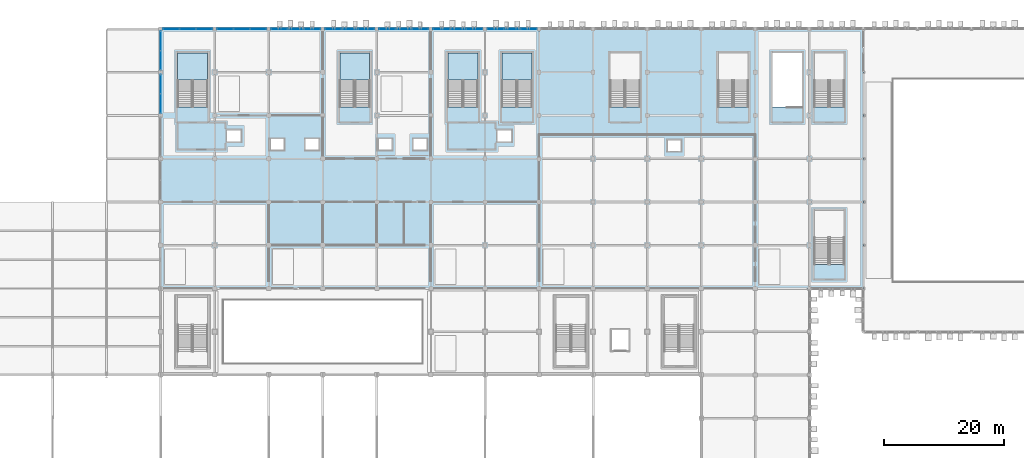
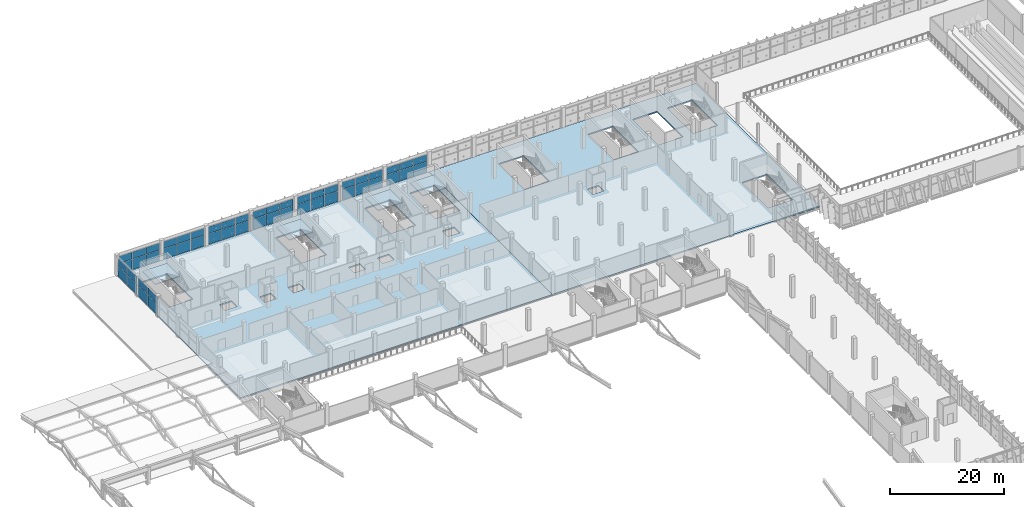
# One storey, part 91 of 151: 50 plates, 6 slabs, 13 elements without a shape of their own.
"""IFC4 building model written with IfcOpenShell, lengths in metres."""

from ifc_helpers import new_model, si_unit, direction, frame, origin, origin_2d, place, context, subcontext, project, spatial, polyline, rectangle, outline, extrude, material, layer, layer_set, type_object, element, aggregate, save


model = new_model("IFC4")

# Units and contexts
model_context = context("Model", 3, precision=1e-05, world=origin(), true_north=direction((0.0, 1.0)))
body_context = subcontext(model_context, "Body", "Model", "MODEL_VIEW")
ifc_project = project(units=[si_unit("LENGTHUNIT", "METRE"), si_unit("AREAUNIT", "SQUARE_METRE"), si_unit("VOLUMEUNIT", "CUBIC_METRE"), si_unit("PLANEANGLEUNIT", "RADIAN"), si_unit("MASSUNIT", "GRAM", prefix="KILO")], contexts=[model_context])

# Site, building, storey
site_placement = place(None, origin())
site = spatial("IfcSite", under=ifc_project, at=site_placement, CompositionType="ELEMENT")
building_placement = place(site_placement, origin())
building = spatial("IfcBuilding", under=site, at=building_placement, Name="Celestram Park Convention Centre", CompositionType="ELEMENT")
storey_placement = place(building_placement, frame((0.0, 0.0, 10.800048828125)))
storey = spatial("IfcBuildingStorey", under=building, at=storey_placement, Name="L02", CompositionType="ELEMENT", Elevation=10.800048828125)

# Curtain wall, plates
ifc_material_1 = material(Name="Anodised Aluminium Alloy 6063-T6", Category="aluminium")
ifc_layer_1 = layer(ifc_material_1, 0.179931640625)
ifc_layer_set_1 = layer_set([ifc_layer_1], Name="Anodised Aluminium Alloy 6063-T6")
curtain_wall_type_1 = type_object("IfcCurtainWallType", Name="ARC-CW-650X400", PredefinedType="NOTDEFINED", material=ifc_layer_set_1)
curtain_wall_1_placement = place(storey_placement, origin())
curtain_wall_1 = element("IfcCurtainWall", 1, at=curtain_wall_1_placement, inside=storey, type_object=curtain_wall_type_1, Name="Unitised curtain wall CU-L02-148", PredefinedType="NOTDEFINED")
ifc_material_2 = material(Name="Insulated Glazing Unit 28 mm", Category="glass")
ifc_layer_2 = layer(ifc_material_2, 0.028076171875)
ifc_layer_set_2 = layer_set([ifc_layer_2], Name="Insulated Glazing Unit 28 mm")
plate_type_1 = type_object("IfcPlateType", Name="ARC-CWP-IGU28", PredefinedType="CURTAIN_PANEL", material=ifc_layer_set_2)
plate_1_placement = place(storey_placement, frame((36.0, 153.190185546875, 0.059814453125), z_axis=(0.0, 0.0, 1.0), x_axis=(0.0, 1.0, 0.0)))
plate_1 = element("IfcPlate", 2, at=plate_1_placement, type_object=plate_type_1, Name="CW-65X40 panel 1.1", PredefinedType="CURTAIN_PANEL", context=body_context, shape_type="SweptSolid", body=[
    extrude(rectangle(XDim=3.154541015625, YDim=0.028076171875, at=origin_2d()), origin(), (0.0, 0.0, 1.0), 2.31005859375),
])
plate_2_placement = place(storey_placement, frame((36.0, 153.190185546875, 2.43017578125), z_axis=(0.0, 0.0, 1.0), x_axis=(0.0, 1.0, 0.0)))
plate_2 = element("IfcPlate", 3, at=plate_2_placement, type_object=plate_type_1, Name="CW-65X40 panel 1.2", PredefinedType="CURTAIN_PANEL", context=body_context, shape_type="SweptSolid", body=[
    extrude(rectangle(XDim=3.154541015625, YDim=0.028076171875, at=origin_2d()), origin(), (0.0, 0.0, 1.0), 1.510009765625),
])
plate_3_placement = place(storey_placement, frame((36.0, 156.40966796875, 0.059814453125), z_axis=(0.0, 0.0, 1.0), x_axis=(0.0, 1.0, 0.0)))
plate_3 = element("IfcPlate", 4, at=plate_3_placement, type_object=plate_type_1, Name="CW-65X40 panel 2.1", PredefinedType="CURTAIN_PANEL", context=body_context, shape_type="SweptSolid", body=[
    extrude(rectangle(XDim=3.154541015625, YDim=0.028076171875, at=origin_2d()), origin(), (0.0, 0.0, 1.0), 2.31005859375),
])
plate_4_placement = place(storey_placement, frame((36.0, 156.40966796875, 2.43017578125), z_axis=(0.0, 0.0, 1.0), x_axis=(0.0, 1.0, 0.0)))
plate_4 = element("IfcPlate", 5, at=plate_4_placement, type_object=plate_type_1, Name="CW-65X40 panel 2.2", PredefinedType="CURTAIN_PANEL", context=body_context, shape_type="SweptSolid", body=[
    extrude(rectangle(XDim=3.154541015625, YDim=0.028076171875, at=origin_2d()), origin(), (0.0, 0.0, 1.0), 1.510009765625),
])
aggregate(curtain_wall_1, [plate_1, plate_2, plate_3, plate_4])

ifc_layer_3 = layer(ifc_material_1, 0.179931640625)
ifc_layer_set_3 = layer_set([ifc_layer_3], Name="Anodised Aluminium Alloy 6063-T6")
curtain_wall_type_2 = type_object("IfcCurtainWallType", Name="ARC-CW-650X389", PredefinedType="NOTDEFINED", material=ifc_layer_set_3)
curtain_wall_2_placement = place(storey_placement, origin())
curtain_wall_2 = element("IfcCurtainWall", 6, at=curtain_wall_2_placement, inside=storey, type_object=curtain_wall_type_2, Name="Unitised curtain wall CU-L02-149", PredefinedType="NOTDEFINED")
plate_5_placement = place(storey_placement, frame((36.0, 160.39013671875, 0.059814453125), z_axis=(0.0, 0.0, 1.0), x_axis=(0.0, 1.0, 0.0)))
plate_5 = element("IfcPlate", 7, at=plate_5_placement, type_object=plate_type_1, Name="CW-65X38 panel 1.1", PredefinedType="CURTAIN_PANEL", context=body_context, shape_type="SweptSolid", body=[
    extrude(rectangle(XDim=3.154541015625, YDim=0.028076171875, at=origin_2d()), origin(), (0.0, 0.0, 1.0), 2.24609375),
])
plate_6_placement = place(storey_placement, frame((36.0, 160.39013671875, 2.36572265625), z_axis=(0.0, 0.0, 1.0), x_axis=(0.0, 1.0, 0.0)))
plate_6 = element("IfcPlate", 8, at=plate_6_placement, type_object=plate_type_1, Name="CW-65X38 panel 1.2", PredefinedType="CURTAIN_PANEL", context=body_context, shape_type="SweptSolid", body=[
    extrude(rectangle(XDim=3.154541015625, YDim=0.028076171875, at=origin_2d()), origin(), (0.0, 0.0, 1.0), 1.468017578125),
])
plate_7_placement = place(storey_placement, frame((36.0, 163.60986328125, 0.059814453125), z_axis=(0.0, 0.0, 1.0), x_axis=(0.0, 1.0, 0.0)))
plate_7 = element("IfcPlate", 9, at=plate_7_placement, type_object=plate_type_1, Name="CW-65X38 panel 2.1", PredefinedType="CURTAIN_PANEL", context=body_context, shape_type="SweptSolid", body=[
    extrude(rectangle(XDim=3.154541015625, YDim=0.028076171875, at=origin_2d()), origin(), (0.0, 0.0, 1.0), 2.24609375),
])
plate_8_placement = place(storey_placement, frame((36.0, 163.60986328125, 2.36572265625), z_axis=(0.0, 0.0, 1.0), x_axis=(0.0, 1.0, 0.0)))
plate_8 = element("IfcPlate", 10, at=plate_8_placement, type_object=plate_type_1, Name="CW-65X38 panel 2.2", PredefinedType="CURTAIN_PANEL", context=body_context, shape_type="SweptSolid", body=[
    extrude(rectangle(XDim=3.154541015625, YDim=0.028076171875, at=origin_2d()), origin(), (0.0, 0.0, 1.0), 1.468017578125),
])
aggregate(curtain_wall_2, [plate_5, plate_6, plate_7, plate_8])

ifc_layer_4 = layer(ifc_material_1, 0.179931640625)
ifc_layer_set_4 = layer_set([ifc_layer_4], Name="Anodised Aluminium Alloy 6063-T6")
curtain_wall_type_3 = type_object("IfcCurtainWallType", Name="ARC-CW-830X389", PredefinedType="NOTDEFINED", material=ifc_layer_set_4)
curtain_wall_3_placement = place(storey_placement, origin())
curtain_wall_3 = element("IfcCurtainWall", 11, at=curtain_wall_3_placement, inside=storey, type_object=curtain_wall_type_3, Name="Unitised curtain wall CU-L02-150", PredefinedType="NOTDEFINED")
ifc_material_3 = material(Name="Insulated Glazing Unit 38 mm", Category="glass")
ifc_layer_5 = layer(ifc_material_3, 0.0380859375)
ifc_layer_set_5 = layer_set([ifc_layer_5], Name="Insulated Glazing Unit 38 mm")
plate_type_2 = type_object("IfcPlateType", Name="ARC-CWP-IGU38", PredefinedType="CURTAIN_PANEL", material=ifc_layer_set_5)
plate_9_placement = place(storey_placement, frame((37.750732421875, 165.60009765625, 0.06494140625), z_axis=(0.0, 0.0, 1.0), x_axis=(1.0, 0.0, 0.0)))
plate_9 = element("IfcPlate", 12, at=plate_9_placement, type_object=plate_type_2, Name="CW-83X38 panel 1.1", PredefinedType="CURTAIN_PANEL", context=body_context, shape_type="SweptSolid", body=[
    extrude(rectangle(XDim=2.655517578125, YDim=0.0380859375, at=origin_2d()), origin(), (0.0, 0.0, 1.0), 2.238525390625),
])
plate_10_placement = place(storey_placement, frame((37.750732421875, 165.60009765625, 2.368408203125), z_axis=(0.0, 0.0, 1.0), x_axis=(1.0, 0.0, 0.0)))
plate_10 = element("IfcPlate", 13, at=plate_10_placement, type_object=plate_type_2, Name="CW-83X38 panel 1.2", PredefinedType="CURTAIN_PANEL", context=body_context, shape_type="SweptSolid", body=[
    extrude(rectangle(XDim=2.655517578125, YDim=0.0380859375, at=origin_2d()), origin(), (0.0, 0.0, 1.0), 1.46044921875),
])
plate_11_placement = place(storey_placement, frame((40.5, 165.60009765625, 0.06494140625), z_axis=(0.0, 0.0, 1.0), x_axis=(1.0, 0.0, 0.0)))
plate_11 = element("IfcPlate", 14, at=plate_11_placement, type_object=plate_type_2, Name="CW-83X38 panel 2.1", PredefinedType="CURTAIN_PANEL", context=body_context, shape_type="SweptSolid", body=[
    extrude(rectangle(XDim=2.693115234375, YDim=0.0380859375, at=origin_2d()), origin(), (0.0, 0.0, 1.0), 2.238525390625),
])
plate_12_placement = place(storey_placement, frame((40.5, 165.60009765625, 2.368408203125), z_axis=(0.0, 0.0, 1.0), x_axis=(1.0, 0.0, 0.0)))
plate_12 = element("IfcPlate", 15, at=plate_12_placement, type_object=plate_type_2, Name="CW-83X38 panel 2.2", PredefinedType="CURTAIN_PANEL", context=body_context, shape_type="SweptSolid", body=[
    extrude(rectangle(XDim=2.693115234375, YDim=0.0380859375, at=origin_2d()), origin(), (0.0, 0.0, 1.0), 1.46044921875),
])
plate_13_placement = place(storey_placement, frame((43.249267578125, 165.60009765625, 0.06494140625), z_axis=(0.0, 0.0, 1.0), x_axis=(1.0, 0.0, 0.0)))
plate_13 = element("IfcPlate", 16, at=plate_13_placement, type_object=plate_type_2, Name="CW-83X38 panel 3.1", PredefinedType="CURTAIN_PANEL", context=body_context, shape_type="SweptSolid", body=[
    extrude(rectangle(XDim=2.655517578125, YDim=0.0380859375, at=origin_2d()), origin(), (0.0, 0.0, 1.0), 2.238525390625),
])
plate_14_placement = place(storey_placement, frame((43.249267578125, 165.60009765625, 2.368408203125), z_axis=(0.0, 0.0, 1.0), x_axis=(1.0, 0.0, 0.0)))
plate_14 = element("IfcPlate", 17, at=plate_14_placement, type_object=plate_type_2, Name="CW-83X38 panel 3.2", PredefinedType="CURTAIN_PANEL", context=body_context, shape_type="SweptSolid", body=[
    extrude(rectangle(XDim=2.655517578125, YDim=0.0380859375, at=origin_2d()), origin(), (0.0, 0.0, 1.0), 1.46044921875),
])
aggregate(curtain_wall_3, [plate_9, plate_10, plate_11, plate_12, plate_13, plate_14])

curtain_wall_4_placement = place(storey_placement, origin())
curtain_wall_4 = element("IfcCurtainWall", 18, at=curtain_wall_4_placement, inside=storey, type_object=curtain_wall_type_3, Name="Unitised curtain wall CU-L02-151", PredefinedType="NOTDEFINED")
plate_15_placement = place(storey_placement, frame((46.750732421875, 165.60009765625, 0.06494140625), z_axis=(0.0, 0.0, 1.0), x_axis=(1.0, 0.0, 0.0)))
plate_15 = element("IfcPlate", 19, at=plate_15_placement, type_object=plate_type_2, Name="CW-83X38 panel 1.1", PredefinedType="CURTAIN_PANEL", context=body_context, shape_type="SweptSolid", body=[
    extrude(rectangle(XDim=2.655517578125, YDim=0.0380859375, at=origin_2d()), origin(), (0.0, 0.0, 1.0), 2.238525390625),
])
plate_16_placement = place(storey_placement, frame((46.750732421875, 165.60009765625, 2.368408203125), z_axis=(0.0, 0.0, 1.0), x_axis=(1.0, 0.0, 0.0)))
plate_16 = element("IfcPlate", 20, at=plate_16_placement, type_object=plate_type_2, Name="CW-83X38 panel 1.2", PredefinedType="CURTAIN_PANEL", context=body_context, shape_type="SweptSolid", body=[
    extrude(rectangle(XDim=2.655517578125, YDim=0.0380859375, at=origin_2d()), origin(), (0.0, 0.0, 1.0), 1.46044921875),
])
plate_17_placement = place(storey_placement, frame((49.5, 165.60009765625, 0.06494140625), z_axis=(0.0, 0.0, 1.0), x_axis=(1.0, 0.0, 0.0)))
plate_17 = element("IfcPlate", 21, at=plate_17_placement, type_object=plate_type_2, Name="CW-83X38 panel 2.1", PredefinedType="CURTAIN_PANEL", context=body_context, shape_type="SweptSolid", body=[
    extrude(rectangle(XDim=2.693115234375, YDim=0.0380859375, at=origin_2d()), origin(), (0.0, 0.0, 1.0), 2.238525390625),
])
plate_18_placement = place(storey_placement, frame((49.5, 165.60009765625, 2.368408203125), z_axis=(0.0, 0.0, 1.0), x_axis=(1.0, 0.0, 0.0)))
plate_18 = element("IfcPlate", 22, at=plate_18_placement, type_object=plate_type_2, Name="CW-83X38 panel 2.2", PredefinedType="CURTAIN_PANEL", context=body_context, shape_type="SweptSolid", body=[
    extrude(rectangle(XDim=2.693115234375, YDim=0.0380859375, at=origin_2d()), origin(), (0.0, 0.0, 1.0), 1.46044921875),
])
plate_19_placement = place(storey_placement, frame((52.249267578125, 165.60009765625, 0.06494140625), z_axis=(0.0, 0.0, 1.0), x_axis=(1.0, 0.0, 0.0)))
plate_19 = element("IfcPlate", 23, at=plate_19_placement, type_object=plate_type_2, Name="CW-83X38 panel 3.1", PredefinedType="CURTAIN_PANEL", context=body_context, shape_type="SweptSolid", body=[
    extrude(rectangle(XDim=2.655517578125, YDim=0.0380859375, at=origin_2d()), origin(), (0.0, 0.0, 1.0), 2.238525390625),
])
plate_20_placement = place(storey_placement, frame((52.249267578125, 165.60009765625, 2.368408203125), z_axis=(0.0, 0.0, 1.0), x_axis=(1.0, 0.0, 0.0)))
plate_20 = element("IfcPlate", 24, at=plate_20_placement, type_object=plate_type_2, Name="CW-83X38 panel 3.2", PredefinedType="CURTAIN_PANEL", context=body_context, shape_type="SweptSolid", body=[
    extrude(rectangle(XDim=2.655517578125, YDim=0.0380859375, at=origin_2d()), origin(), (0.0, 0.0, 1.0), 1.46044921875),
])
aggregate(curtain_wall_4, [plate_15, plate_16, plate_17, plate_18, plate_19, plate_20])

curtain_wall_5_placement = place(storey_placement, origin())
curtain_wall_5 = element("IfcCurtainWall", 25, at=curtain_wall_5_placement, inside=storey, type_object=curtain_wall_type_3, Name="Unitised curtain wall CU-L02-152", PredefinedType="NOTDEFINED")
plate_21_placement = place(storey_placement, frame((55.750732421875, 165.60009765625, 0.06494140625), z_axis=(0.0, 0.0, 1.0), x_axis=(1.0, 0.0, 0.0)))
plate_21 = element("IfcPlate", 26, at=plate_21_placement, type_object=plate_type_2, Name="CW-83X38 panel 1.1", PredefinedType="CURTAIN_PANEL", context=body_context, shape_type="SweptSolid", body=[
    extrude(rectangle(XDim=2.655517578125, YDim=0.0380859375, at=origin_2d()), origin(), (0.0, 0.0, 1.0), 2.238525390625),
])
plate_22_placement = place(storey_placement, frame((55.750732421875, 165.60009765625, 2.368408203125), z_axis=(0.0, 0.0, 1.0), x_axis=(1.0, 0.0, 0.0)))
plate_22 = element("IfcPlate", 27, at=plate_22_placement, type_object=plate_type_2, Name="CW-83X38 panel 1.2", PredefinedType="CURTAIN_PANEL", context=body_context, shape_type="SweptSolid", body=[
    extrude(rectangle(XDim=2.655517578125, YDim=0.0380859375, at=origin_2d()), origin(), (0.0, 0.0, 1.0), 1.46044921875),
])
plate_23_placement = place(storey_placement, frame((58.5, 165.60009765625, 0.06494140625), z_axis=(0.0, 0.0, 1.0), x_axis=(1.0, 0.0, 0.0)))
plate_23 = element("IfcPlate", 28, at=plate_23_placement, type_object=plate_type_2, Name="CW-83X38 panel 2.1", PredefinedType="CURTAIN_PANEL", context=body_context, shape_type="SweptSolid", body=[
    extrude(rectangle(XDim=2.693115234375, YDim=0.0380859375, at=origin_2d()), origin(), (0.0, 0.0, 1.0), 2.238525390625),
])
plate_24_placement = place(storey_placement, frame((58.5, 165.60009765625, 2.368408203125), z_axis=(0.0, 0.0, 1.0), x_axis=(1.0, 0.0, 0.0)))
plate_24 = element("IfcPlate", 29, at=plate_24_placement, type_object=plate_type_2, Name="CW-83X38 panel 2.2", PredefinedType="CURTAIN_PANEL", context=body_context, shape_type="SweptSolid", body=[
    extrude(rectangle(XDim=2.693115234375, YDim=0.0380859375, at=origin_2d()), origin(), (0.0, 0.0, 1.0), 1.46044921875),
])
plate_25_placement = place(storey_placement, frame((61.249267578125, 165.60009765625, 0.06494140625), z_axis=(0.0, 0.0, 1.0), x_axis=(1.0, 0.0, 0.0)))
plate_25 = element("IfcPlate", 30, at=plate_25_placement, type_object=plate_type_2, Name="CW-83X38 panel 3.1", PredefinedType="CURTAIN_PANEL", context=body_context, shape_type="SweptSolid", body=[
    extrude(rectangle(XDim=2.655517578125, YDim=0.0380859375, at=origin_2d()), origin(), (0.0, 0.0, 1.0), 2.238525390625),
])
plate_26_placement = place(storey_placement, frame((61.249267578125, 165.60009765625, 2.368408203125), z_axis=(0.0, 0.0, 1.0), x_axis=(1.0, 0.0, 0.0)))
plate_26 = element("IfcPlate", 31, at=plate_26_placement, type_object=plate_type_2, Name="CW-83X38 panel 3.2", PredefinedType="CURTAIN_PANEL", context=body_context, shape_type="SweptSolid", body=[
    extrude(rectangle(XDim=2.655517578125, YDim=0.0380859375, at=origin_2d()), origin(), (0.0, 0.0, 1.0), 1.46044921875),
])
aggregate(curtain_wall_5, [plate_21, plate_22, plate_23, plate_24, plate_25, plate_26])

curtain_wall_6_placement = place(storey_placement, origin())
curtain_wall_6 = element("IfcCurtainWall", 32, at=curtain_wall_6_placement, inside=storey, type_object=curtain_wall_type_3, Name="Unitised curtain wall CU-L02-153", PredefinedType="NOTDEFINED")
plate_27_placement = place(storey_placement, frame((64.750732421875, 165.60009765625, 0.06494140625), z_axis=(0.0, 0.0, 1.0), x_axis=(1.0, 0.0, 0.0)))
plate_27 = element("IfcPlate", 33, at=plate_27_placement, type_object=plate_type_2, Name="CW-83X38 panel 1.1", PredefinedType="CURTAIN_PANEL", context=body_context, shape_type="SweptSolid", body=[
    extrude(rectangle(XDim=2.655517578125, YDim=0.0380859375, at=origin_2d()), origin(), (0.0, 0.0, 1.0), 2.238525390625),
])
plate_28_placement = place(storey_placement, frame((64.750732421875, 165.60009765625, 2.368408203125), z_axis=(0.0, 0.0, 1.0), x_axis=(1.0, 0.0, 0.0)))
plate_28 = element("IfcPlate", 34, at=plate_28_placement, type_object=plate_type_2, Name="CW-83X38 panel 1.2", PredefinedType="CURTAIN_PANEL", context=body_context, shape_type="SweptSolid", body=[
    extrude(rectangle(XDim=2.655517578125, YDim=0.0380859375, at=origin_2d()), origin(), (0.0, 0.0, 1.0), 1.46044921875),
])
plate_29_placement = place(storey_placement, frame((67.5, 165.60009765625, 0.06494140625), z_axis=(0.0, 0.0, 1.0), x_axis=(1.0, 0.0, 0.0)))
plate_29 = element("IfcPlate", 35, at=plate_29_placement, type_object=plate_type_2, Name="CW-83X38 panel 2.1", PredefinedType="CURTAIN_PANEL", context=body_context, shape_type="SweptSolid", body=[
    extrude(rectangle(XDim=2.693115234375, YDim=0.0380859375, at=origin_2d()), origin(), (0.0, 0.0, 1.0), 2.238525390625),
])
plate_30_placement = place(storey_placement, frame((67.5, 165.60009765625, 2.368408203125), z_axis=(0.0, 0.0, 1.0), x_axis=(1.0, 0.0, 0.0)))
plate_30 = element("IfcPlate", 36, at=plate_30_placement, type_object=plate_type_2, Name="CW-83X38 panel 2.2", PredefinedType="CURTAIN_PANEL", context=body_context, shape_type="SweptSolid", body=[
    extrude(rectangle(XDim=2.693115234375, YDim=0.0380859375, at=origin_2d()), origin(), (0.0, 0.0, 1.0), 1.46044921875),
])
plate_31_placement = place(storey_placement, frame((70.249267578125, 165.60009765625, 0.06494140625), z_axis=(0.0, 0.0, 1.0), x_axis=(1.0, 0.0, 0.0)))
plate_31 = element("IfcPlate", 37, at=plate_31_placement, type_object=plate_type_2, Name="CW-83X38 panel 3.1", PredefinedType="CURTAIN_PANEL", context=body_context, shape_type="SweptSolid", body=[
    extrude(rectangle(XDim=2.655517578125, YDim=0.0380859375, at=origin_2d()), origin(), (0.0, 0.0, 1.0), 2.238525390625),
])
plate_32_placement = place(storey_placement, frame((70.249267578125, 165.60009765625, 2.368408203125), z_axis=(0.0, 0.0, 1.0), x_axis=(1.0, 0.0, 0.0)))
plate_32 = element("IfcPlate", 38, at=plate_32_placement, type_object=plate_type_2, Name="CW-83X38 panel 3.2", PredefinedType="CURTAIN_PANEL", context=body_context, shape_type="SweptSolid", body=[
    extrude(rectangle(XDim=2.655517578125, YDim=0.0380859375, at=origin_2d()), origin(), (0.0, 0.0, 1.0), 1.46044921875),
])
aggregate(curtain_wall_6, [plate_27, plate_28, plate_29, plate_30, plate_31, plate_32])

curtain_wall_7_placement = place(storey_placement, origin())
curtain_wall_7 = element("IfcCurtainWall", 39, at=curtain_wall_7_placement, inside=storey, type_object=curtain_wall_type_3, Name="Unitised curtain wall CU-L02-154", PredefinedType="NOTDEFINED")
plate_33_placement = place(storey_placement, frame((73.750732421875, 165.60009765625, 0.06494140625), z_axis=(0.0, 0.0, 1.0), x_axis=(1.0, 0.0, 0.0)))
plate_33 = element("IfcPlate", 40, at=plate_33_placement, type_object=plate_type_2, Name="CW-83X38 panel 1.1", PredefinedType="CURTAIN_PANEL", context=body_context, shape_type="SweptSolid", body=[
    extrude(rectangle(XDim=2.655517578125, YDim=0.0380859375, at=origin_2d()), origin(), (0.0, 0.0, 1.0), 2.238525390625),
])
plate_34_placement = place(storey_placement, frame((73.750732421875, 165.60009765625, 2.368408203125), z_axis=(0.0, 0.0, 1.0), x_axis=(1.0, 0.0, 0.0)))
plate_34 = element("IfcPlate", 41, at=plate_34_placement, type_object=plate_type_2, Name="CW-83X38 panel 1.2", PredefinedType="CURTAIN_PANEL", context=body_context, shape_type="SweptSolid", body=[
    extrude(rectangle(XDim=2.655517578125, YDim=0.0380859375, at=origin_2d()), origin(), (0.0, 0.0, 1.0), 1.46044921875),
])
plate_35_placement = place(storey_placement, frame((76.5, 165.60009765625, 0.06494140625), z_axis=(0.0, 0.0, 1.0), x_axis=(1.0, 0.0, 0.0)))
plate_35 = element("IfcPlate", 42, at=plate_35_placement, type_object=plate_type_2, Name="CW-83X38 panel 2.1", PredefinedType="CURTAIN_PANEL", context=body_context, shape_type="SweptSolid", body=[
    extrude(rectangle(XDim=2.693115234375, YDim=0.0380859375, at=origin_2d()), origin(), (0.0, 0.0, 1.0), 2.238525390625),
])
plate_36_placement = place(storey_placement, frame((76.5, 165.60009765625, 2.368408203125), z_axis=(0.0, 0.0, 1.0), x_axis=(1.0, 0.0, 0.0)))
plate_36 = element("IfcPlate", 43, at=plate_36_placement, type_object=plate_type_2, Name="CW-83X38 panel 2.2", PredefinedType="CURTAIN_PANEL", context=body_context, shape_type="SweptSolid", body=[
    extrude(rectangle(XDim=2.693115234375, YDim=0.0380859375, at=origin_2d()), origin(), (0.0, 0.0, 1.0), 1.46044921875),
])
plate_37_placement = place(storey_placement, frame((79.249267578125, 165.60009765625, 0.06494140625), z_axis=(0.0, 0.0, 1.0), x_axis=(1.0, 0.0, 0.0)))
plate_37 = element("IfcPlate", 44, at=plate_37_placement, type_object=plate_type_2, Name="CW-83X38 panel 3.1", PredefinedType="CURTAIN_PANEL", context=body_context, shape_type="SweptSolid", body=[
    extrude(rectangle(XDim=2.655517578125, YDim=0.0380859375, at=origin_2d()), origin(), (0.0, 0.0, 1.0), 2.238525390625),
])
plate_38_placement = place(storey_placement, frame((79.249267578125, 165.60009765625, 2.368408203125), z_axis=(0.0, 0.0, 1.0), x_axis=(1.0, 0.0, 0.0)))
plate_38 = element("IfcPlate", 45, at=plate_38_placement, type_object=plate_type_2, Name="CW-83X38 panel 3.2", PredefinedType="CURTAIN_PANEL", context=body_context, shape_type="SweptSolid", body=[
    extrude(rectangle(XDim=2.655517578125, YDim=0.0380859375, at=origin_2d()), origin(), (0.0, 0.0, 1.0), 1.46044921875),
])
aggregate(curtain_wall_7, [plate_33, plate_34, plate_35, plate_36, plate_37, plate_38])

curtain_wall_8_placement = place(storey_placement, origin())
curtain_wall_8 = element("IfcCurtainWall", 46, at=curtain_wall_8_placement, inside=storey, type_object=curtain_wall_type_3, Name="Unitised curtain wall CU-L02-155", PredefinedType="NOTDEFINED")
plate_39_placement = place(storey_placement, frame((82.750732421875, 165.60009765625, 0.06494140625), z_axis=(0.0, 0.0, 1.0), x_axis=(1.0, 0.0, 0.0)))
plate_39 = element("IfcPlate", 47, at=plate_39_placement, type_object=plate_type_2, Name="CW-83X38 panel 1.1", PredefinedType="CURTAIN_PANEL", context=body_context, shape_type="SweptSolid", body=[
    extrude(rectangle(XDim=2.655517578125, YDim=0.0380859375, at=origin_2d()), origin(), (0.0, 0.0, 1.0), 2.238525390625),
])
plate_40_placement = place(storey_placement, frame((82.750732421875, 165.60009765625, 2.368408203125), z_axis=(0.0, 0.0, 1.0), x_axis=(1.0, 0.0, 0.0)))
plate_40 = element("IfcPlate", 48, at=plate_40_placement, type_object=plate_type_2, Name="CW-83X38 panel 1.2", PredefinedType="CURTAIN_PANEL", context=body_context, shape_type="SweptSolid", body=[
    extrude(rectangle(XDim=2.655517578125, YDim=0.0380859375, at=origin_2d()), origin(), (0.0, 0.0, 1.0), 1.46044921875),
])
plate_41_placement = place(storey_placement, frame((85.5, 165.60009765625, 0.06494140625), z_axis=(0.0, 0.0, 1.0), x_axis=(1.0, 0.0, 0.0)))
plate_41 = element("IfcPlate", 49, at=plate_41_placement, type_object=plate_type_2, Name="CW-83X38 panel 2.1", PredefinedType="CURTAIN_PANEL", context=body_context, shape_type="SweptSolid", body=[
    extrude(rectangle(XDim=2.693115234375, YDim=0.0380859375, at=origin_2d()), origin(), (0.0, 0.0, 1.0), 2.238525390625),
])
plate_42_placement = place(storey_placement, frame((85.5, 165.60009765625, 2.368408203125), z_axis=(0.0, 0.0, 1.0), x_axis=(1.0, 0.0, 0.0)))
plate_42 = element("IfcPlate", 50, at=plate_42_placement, type_object=plate_type_2, Name="CW-83X38 panel 2.2", PredefinedType="CURTAIN_PANEL", context=body_context, shape_type="SweptSolid", body=[
    extrude(rectangle(XDim=2.693115234375, YDim=0.0380859375, at=origin_2d()), origin(), (0.0, 0.0, 1.0), 1.46044921875),
])
plate_43_placement = place(storey_placement, frame((88.249267578125, 165.60009765625, 0.06494140625), z_axis=(0.0, 0.0, 1.0), x_axis=(1.0, 0.0, 0.0)))
plate_43 = element("IfcPlate", 51, at=plate_43_placement, type_object=plate_type_2, Name="CW-83X38 panel 3.1", PredefinedType="CURTAIN_PANEL", context=body_context, shape_type="SweptSolid", body=[
    extrude(rectangle(XDim=2.655517578125, YDim=0.0380859375, at=origin_2d()), origin(), (0.0, 0.0, 1.0), 2.238525390625),
])
plate_44_placement = place(storey_placement, frame((88.249267578125, 165.60009765625, 2.368408203125), z_axis=(0.0, 0.0, 1.0), x_axis=(1.0, 0.0, 0.0)))
plate_44 = element("IfcPlate", 52, at=plate_44_placement, type_object=plate_type_2, Name="CW-83X38 panel 3.2", PredefinedType="CURTAIN_PANEL", context=body_context, shape_type="SweptSolid", body=[
    extrude(rectangle(XDim=2.655517578125, YDim=0.0380859375, at=origin_2d()), origin(), (0.0, 0.0, 1.0), 1.46044921875),
])
aggregate(curtain_wall_8, [plate_39, plate_40, plate_41, plate_42, plate_43, plate_44])

curtain_wall_9_placement = place(storey_placement, origin())
curtain_wall_9 = element("IfcCurtainWall", 53, at=curtain_wall_9_placement, inside=storey, type_object=curtain_wall_type_3, Name="Unitised curtain wall CU-L02-156", PredefinedType="NOTDEFINED")
plate_45_placement = place(storey_placement, frame((91.750732421875, 165.60009765625, 0.06494140625), z_axis=(0.0, 0.0, 1.0), x_axis=(1.0, 0.0, 0.0)))
plate_45 = element("IfcPlate", 54, at=plate_45_placement, type_object=plate_type_2, Name="CW-83X38 panel 1.1", PredefinedType="CURTAIN_PANEL", context=body_context, shape_type="SweptSolid", body=[
    extrude(rectangle(XDim=2.655517578125, YDim=0.0380859375, at=origin_2d()), origin(), (0.0, 0.0, 1.0), 2.238525390625),
])
plate_46_placement = place(storey_placement, frame((91.750732421875, 165.60009765625, 2.368408203125), z_axis=(0.0, 0.0, 1.0), x_axis=(1.0, 0.0, 0.0)))
plate_46 = element("IfcPlate", 55, at=plate_46_placement, type_object=plate_type_2, Name="CW-83X38 panel 1.2", PredefinedType="CURTAIN_PANEL", context=body_context, shape_type="SweptSolid", body=[
    extrude(rectangle(XDim=2.655517578125, YDim=0.0380859375, at=origin_2d()), origin(), (0.0, 0.0, 1.0), 1.46044921875),
])
plate_47_placement = place(storey_placement, frame((94.5, 165.60009765625, 0.06494140625), z_axis=(0.0, 0.0, 1.0), x_axis=(1.0, 0.0, 0.0)))
plate_47 = element("IfcPlate", 56, at=plate_47_placement, type_object=plate_type_2, Name="CW-83X38 panel 2.1", PredefinedType="CURTAIN_PANEL", context=body_context, shape_type="SweptSolid", body=[
    extrude(rectangle(XDim=2.693115234375, YDim=0.0380859375, at=origin_2d()), origin(), (0.0, 0.0, 1.0), 2.238525390625),
])
plate_48_placement = place(storey_placement, frame((94.5, 165.60009765625, 2.368408203125), z_axis=(0.0, 0.0, 1.0), x_axis=(1.0, 0.0, 0.0)))
plate_48 = element("IfcPlate", 57, at=plate_48_placement, type_object=plate_type_2, Name="CW-83X38 panel 2.2", PredefinedType="CURTAIN_PANEL", context=body_context, shape_type="SweptSolid", body=[
    extrude(rectangle(XDim=2.693115234375, YDim=0.0380859375, at=origin_2d()), origin(), (0.0, 0.0, 1.0), 1.46044921875),
])
plate_49_placement = place(storey_placement, frame((97.249267578125, 165.60009765625, 0.06494140625), z_axis=(0.0, 0.0, 1.0), x_axis=(1.0, 0.0, 0.0)))
plate_49 = element("IfcPlate", 58, at=plate_49_placement, type_object=plate_type_2, Name="CW-83X38 panel 3.1", PredefinedType="CURTAIN_PANEL", context=body_context, shape_type="SweptSolid", body=[
    extrude(rectangle(XDim=2.655517578125, YDim=0.0380859375, at=origin_2d()), origin(), (0.0, 0.0, 1.0), 2.238525390625),
])
plate_50_placement = place(storey_placement, frame((97.249267578125, 165.60009765625, 2.368408203125), z_axis=(0.0, 0.0, 1.0), x_axis=(1.0, 0.0, 0.0)))
plate_50 = element("IfcPlate", 59, at=plate_50_placement, type_object=plate_type_2, Name="CW-83X38 panel 3.2", PredefinedType="CURTAIN_PANEL", context=body_context, shape_type="SweptSolid", body=[
    extrude(rectangle(XDim=2.655517578125, YDim=0.0380859375, at=origin_2d()), origin(), (0.0, 0.0, 1.0), 1.46044921875),
])
aggregate(curtain_wall_9, [plate_45, plate_46, plate_47, plate_48, plate_49, plate_50])

# Slabs
ifc_material_4 = material(Name="Concrete C35/45", Category="concrete")
ifc_layer_6 = layer(ifc_material_4, 0.280029296875)
ifc_layer_set_6 = layer_set([ifc_layer_6], Name="Concrete C35/45")
slab_type_1 = type_object("IfcSlabType", Name="STR-SLB-FLR280", PredefinedType="FLOOR", material=ifc_layer_set_6)
slab_1_placement = place(storey_placement, frame((0.0, 0.0, -0.280029296875)))
element("IfcSlab", 60, at=slab_1_placement, inside=storey, type_object=slab_type_1, Name="Floor slab L02-MTG", PredefinedType="FLOOR", context=body_context, shape_type="SweptSolid", body=[
    extrude(outline(polyline([(36.0, 122.39990234375), (36.0, 165.60009765625), (99.0, 165.60009765625), (99.0, 122.39990234375), (36.0, 122.39990234375)]), holes=[polyline([(54.25, 145.449951171875), (56.550048828125, 145.449951171875), (56.550048828125, 147.35009765625), (54.25, 147.35009765625), (54.25, 145.449951171875)]), polyline([(60.050048828125, 145.449951171875), (62.35009765625, 145.449951171875), (62.35009765625, 147.35009765625), (60.050048828125, 147.35009765625), (60.050048828125, 145.449951171875)]), polyline([(72.25, 145.449951171875), (74.550048828125, 145.449951171875), (74.550048828125, 147.35009765625), (72.25, 147.35009765625), (72.25, 145.449951171875)]), polyline([(78.050048828125, 145.449951171875), (80.35009765625, 145.449951171875), (80.35009765625, 147.35009765625), (78.050048828125, 147.35009765625), (78.050048828125, 145.449951171875)]), polyline([(47.0, 146.824951171875), (49.39990234375, 146.824951171875), (49.39990234375, 148.77490234375), (47.0, 148.77490234375), (47.0, 146.824951171875)]), polyline([(92.0, 146.824951171875), (94.39990234375, 146.824951171875), (94.39990234375, 148.77490234375), (92.0, 148.77490234375), (92.0, 146.824951171875)]), polyline([(43.800048828125, 152.60595703125), (43.800048828125, 161.60009765625), (38.840087890625, 161.60009765625), (38.840087890625, 152.60595703125), (43.800048828125, 152.60595703125)]), polyline([(70.800048828125, 152.60595703125), (70.800048828125, 161.60009765625), (65.840087890625, 161.60009765625), (65.840087890625, 152.60595703125), (70.800048828125, 152.60595703125)]), polyline([(88.800048828125, 152.60595703125), (88.800048828125, 161.60009765625), (83.840087890625, 161.60009765625), (83.840087890625, 152.60595703125), (88.800048828125, 152.60595703125)]), polyline([(97.800048828125, 152.60595703125), (97.800048828125, 161.60009765625), (92.840087890625, 161.60009765625), (92.840087890625, 152.60595703125), (97.800048828125, 152.60595703125)])]), origin(), (0.0, 0.0, 1.0), 0.280029296875),
])
slab_2_placement = place(storey_placement, frame((0.0, 0.0, -0.280029296875)))
element("IfcSlab", 61, at=slab_2_placement, inside=storey, type_object=slab_type_1, Name="Floor slab L02-RST", PredefinedType="FLOOR", context=body_context, shape_type="SweptSolid", body=[
    extrude(outline(polyline([(99.0, 122.39990234375), (99.0, 165.60009765625), (153.0, 165.60009765625), (153.0, 122.39990234375), (99.0, 122.39990234375)]), holes=[polyline([(120.35009765625, 145.25), (122.64990234375, 145.25), (122.64990234375, 147.14990234375), (120.35009765625, 147.14990234375), (120.35009765625, 145.25)]), polyline([(115.800048828125, 152.60595703125), (115.800048828125, 161.60009765625), (110.840087890625, 161.60009765625), (110.840087890625, 152.60595703125), (115.800048828125, 152.60595703125)]), polyline([(149.800048828125, 126.406005859375), (149.800048828125, 135.39990234375), (144.840087890625, 135.39990234375), (144.840087890625, 126.406005859375), (149.800048828125, 126.406005859375)]), polyline([(133.800048828125, 152.60595703125), (133.800048828125, 161.60009765625), (128.840087890625, 161.60009765625), (128.840087890625, 152.60595703125), (133.800048828125, 152.60595703125)]), polyline([(142.800048828125, 152.60595703125), (142.800048828125, 161.60009765625), (137.840087890625, 161.60009765625), (137.840087890625, 152.60595703125), (142.800048828125, 152.60595703125)]), polyline([(149.800048828125, 152.60595703125), (149.800048828125, 161.60009765625), (144.840087890625, 161.60009765625), (144.840087890625, 152.60595703125), (149.800048828125, 152.60595703125)])]), origin(), (0.0, 0.0, 1.0), 0.280029296875),
])

# Stair, slab
ifc_material_5 = material(Name="Precast Concrete C40/50", Category="concrete")
stair_type = type_object("IfcStairType", Name="ARC-STR-DOG45", PredefinedType="HALF_TURN_STAIR", material=ifc_material_5)
stair_1_placement = place(storey_placement, origin())
stair_1 = element("IfcStair", 62, at=stair_1_placement, inside=storey, type_object=stair_type, Name="L02 Core C1 stair ST-01", PredefinedType="HALF_TURN_STAIR")
ifc_layer_7 = layer(ifc_material_4, 0.199951171875)
ifc_layer_set_7 = layer_set([ifc_layer_7], Name="Concrete C35/45")
slab_type_2 = type_object("IfcSlabType", Name="STR-SLB-LND200", PredefinedType="LANDING", material=ifc_layer_set_7)
slab_3_placement = place(storey_placement, frame((0.0, 0.0, 2.050048828125)))
slab_3 = element("IfcSlab", 63, at=slab_3_placement, type_object=slab_type_2, Name="ST-01 landing 1", PredefinedType="LANDING", context=body_context, shape_type="SweptSolid", body=[
    extrude(outline(polyline([(43.800048828125, 157.073974609375), (43.800048828125, 161.60009765625), (38.840087890625, 161.60009765625), (38.840087890625, 157.073974609375), (43.800048828125, 157.073974609375)])), origin(), (0.0, 0.0, 1.0), 0.199951171875),
])
aggregate(stair_1, [slab_3])

stair_2_placement = place(storey_placement, origin())
stair_2 = element("IfcStair", 64, at=stair_2_placement, inside=storey, type_object=stair_type, Name="L02 Core C2 stair ST-02", PredefinedType="HALF_TURN_STAIR")
slab_4_placement = place(storey_placement, frame((0.0, 0.0, 2.050048828125)))
slab_4 = element("IfcSlab", 65, at=slab_4_placement, type_object=slab_type_2, Name="ST-02 landing 1", PredefinedType="LANDING", context=body_context, shape_type="SweptSolid", body=[
    extrude(outline(polyline([(88.800048828125, 157.073974609375), (88.800048828125, 161.60009765625), (83.840087890625, 161.60009765625), (83.840087890625, 157.073974609375), (88.800048828125, 157.073974609375)])), origin(), (0.0, 0.0, 1.0), 0.199951171875),
])
aggregate(stair_2, [slab_4])

stair_3_placement = place(storey_placement, origin())
stair_3 = element("IfcStair", 66, at=stair_3_placement, inside=storey, type_object=stair_type, Name="L02 Core S14 stair ST-14", PredefinedType="HALF_TURN_STAIR")
slab_5_placement = place(storey_placement, frame((0.0, 0.0, 2.050048828125)))
slab_5 = element("IfcSlab", 67, at=slab_5_placement, type_object=slab_type_2, Name="ST-14 landing 1", PredefinedType="LANDING", context=body_context, shape_type="SweptSolid", body=[
    extrude(outline(polyline([(70.800048828125, 157.073974609375), (70.800048828125, 161.60009765625), (65.840087890625, 161.60009765625), (65.840087890625, 157.073974609375), (70.800048828125, 157.073974609375)])), origin(), (0.0, 0.0, 1.0), 0.199951171875),
])
aggregate(stair_3, [slab_5])

stair_4_placement = place(storey_placement, origin())
stair_4 = element("IfcStair", 68, at=stair_4_placement, inside=storey, type_object=stair_type, Name="L02 Core S19 stair ST-19", PredefinedType="HALF_TURN_STAIR")
slab_6_placement = place(storey_placement, frame((0.0, 0.0, 2.050048828125)))
slab_6 = element("IfcSlab", 69, at=slab_6_placement, type_object=slab_type_2, Name="ST-19 landing 1", PredefinedType="LANDING", context=body_context, shape_type="SweptSolid", body=[
    extrude(outline(polyline([(97.800048828125, 157.073974609375), (97.800048828125, 161.60009765625), (92.840087890625, 161.60009765625), (92.840087890625, 157.073974609375), (97.800048828125, 157.073974609375)])), origin(), (0.0, 0.0, 1.0), 0.199951171875),
])
aggregate(stair_4, [slab_6])

save(model, "model.ifc")
